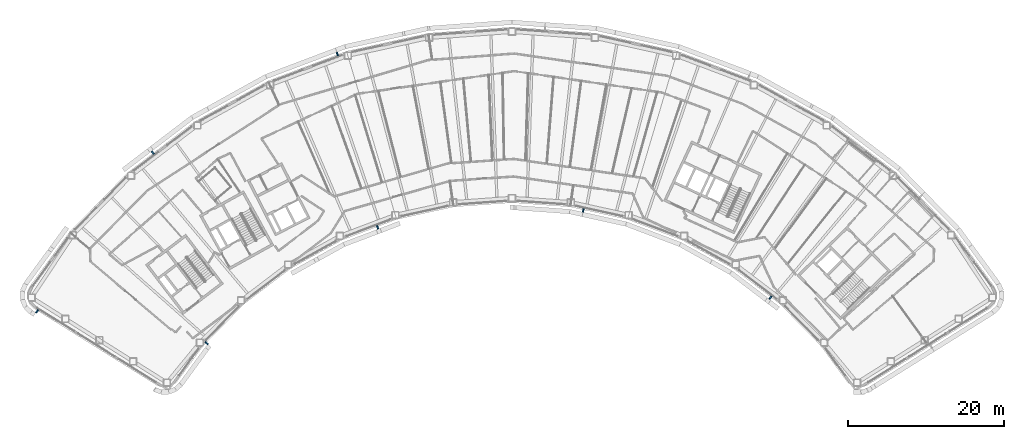
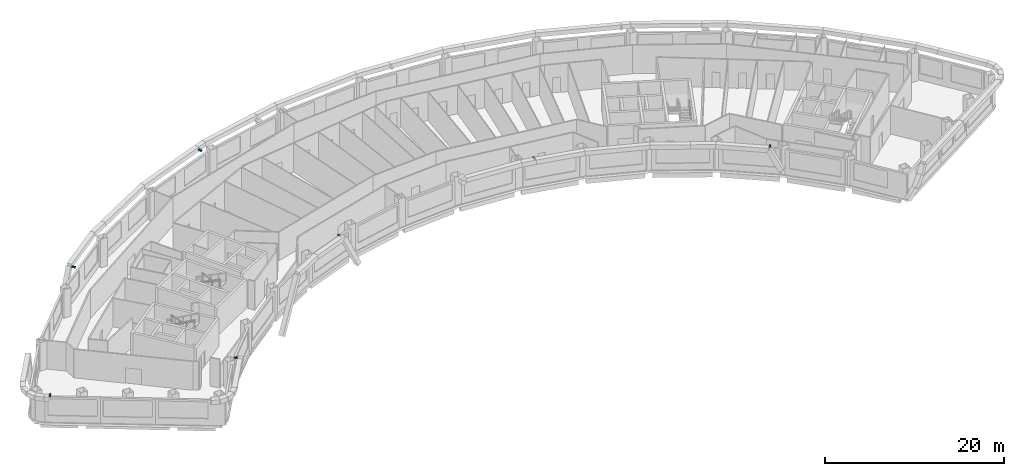
# One storey, part 13 of 17: 7 discrete accessories.
"""IFC4 building model written with IfcOpenShell, lengths in metres."""

from ifc_helpers import new_model, si_unit, direction, frame, origin, origin_2d, place, context, subcontext, project, spatial, rectangle, extrude, material, type_object, element, save


model = new_model("IFC4")

# Units and contexts
model_context = context("Model", 3, precision=1e-05, world=origin(), true_north=direction((0.0, 1.0)))
body_context = subcontext(model_context, "Body", "Model", "MODEL_VIEW")
ifc_project = project(units=[si_unit("LENGTHUNIT", "METRE"), si_unit("AREAUNIT", "SQUARE_METRE"), si_unit("VOLUMEUNIT", "CUBIC_METRE"), si_unit("PLANEANGLEUNIT", "RADIAN"), si_unit("MASSUNIT", "GRAM", prefix="KILO")], contexts=[model_context])

# Site, building, storey
site_placement = place(None, origin())
site = spatial("IfcSite", under=ifc_project, at=site_placement, CompositionType="ELEMENT")
building_placement = place(site_placement, origin())
building = spatial("IfcBuilding", under=site, at=building_placement, Name="Tuul Gate Civic Tower", CompositionType="ELEMENT")
storey_placement = place(building_placement, frame((0.0, 0.0, 222.10009765625)))
storey = spatial("IfcBuildingStorey", under=building, at=storey_placement, Name="Level 50", CompositionType="ELEMENT", Elevation=222.10009765625)

# Discrete accessories
ifc_material = material(Name="Stainless steel", Category="steel")
discrete_accessory_type = type_object("IfcDiscreteAccessoryType", Name="Screen bracket", PredefinedType="BRACKET", material=ifc_material)
discrete_accessory_1_placement = place(storey_placement, frame((-16.48876953125, 15.706298828125, 3.75), z_axis=(0.0, 0.0, 1.0), x_axis=(-0.301032033721, 0.953614028144, 0.0)))
element("IfcDiscreteAccessory", 1, at=discrete_accessory_1_placement, inside=storey, type_object=discrete_accessory_type, Name="Screen bracket 12", PredefinedType="BRACKET", context=body_context, shape_type="SweptSolid", body=[
    extrude(rectangle(XDim=0.45068359375, YDim=0.199951171875, at=origin_2d()), origin(), (0.0, 0.0, 1.0), 0.199951171875),
])
discrete_accessory_2_placement = place(storey_placement, frame((-40.17529296875, 3.04150390625, 3.75), z_axis=(0.0, 0.0, 1.0), x_axis=(-0.619914622165, 0.78466926869, 0.0)))
element("IfcDiscreteAccessory", 2, at=discrete_accessory_2_placement, inside=storey, type_object=discrete_accessory_type, Name="Screen bracket 15", PredefinedType="BRACKET", context=body_context, shape_type="SweptSolid", body=[
    extrude(rectangle(XDim=0.4501953125, YDim=0.199951171875, at=origin_2d()), origin(), (0.0, 0.0, 1.0), 0.199951171875),
])
discrete_accessory_3_placement = place(storey_placement, frame((-55.02294921875, -17.32763671875, 3.75), z_axis=(0.0, 0.0, 1.0), x_axis=(-0.609612645773, -0.792699452575, 0.0)))
element("IfcDiscreteAccessory", 3, at=discrete_accessory_3_placement, inside=storey, type_object=discrete_accessory_type, Name="Screen bracket 18", PredefinedType="BRACKET", context=body_context, shape_type="SweptSolid", body=[
    extrude(rectangle(XDim=0.4521484375, YDim=0.199951171875, at=origin_2d()), origin(), (0.0, 0.0, 1.0), 0.199951171875),
])
discrete_accessory_4_placement = place(storey_placement, frame((-33.263916015625, -21.4287109375, 3.75), z_axis=(0.0, 0.0, 1.0), x_axis=(0.756352625905, -0.654164127178, 0.0)))
element("IfcDiscreteAccessory", 4, at=discrete_accessory_4_placement, inside=storey, type_object=discrete_accessory_type, Name="Screen bracket 21", PredefinedType="BRACKET", context=body_context, shape_type="SweptSolid", body=[
    extrude(rectangle(XDim=0.450927734375, YDim=0.199951171875, at=origin_2d()), origin(), (0.0, 0.0, 1.0), 0.199951171875),
])
for number, where, z_axis, x_axis, name in (
    (5, (-11.31494140625, -6.55224609375, 3.75), (0.0, 0.0, 1.0), (0.333474504102, -0.942759118287, 0.0), "Screen bracket 24"),
    (6, (15.087890625, -4.377197265625, 3.75), (0.0, 0.0, 1.0), (-0.176670748029, -0.984270007056, 0.0), "Screen bracket 27"),
):
    element("IfcDiscreteAccessory", number, at=place(storey_placement, frame(where, z_axis=z_axis, x_axis=x_axis)), inside=storey, type_object=discrete_accessory_type, Name=name, PredefinedType="BRACKET", context=body_context, shape_type="SweptSolid", body=[
        extrude(rectangle(XDim=0.4501953125, YDim=0.199951171875, at=origin_2d()), origin(), (0.0, 0.0, 1.0), 0.199951171875),
    ])
discrete_accessory_5_placement = place(storey_placement, frame((39.11767578125, -15.576416015625, 3.75), z_axis=(0.0, 0.0, 1.0), x_axis=(-0.640746410602, -0.767752588599, 0.0)))
element("IfcDiscreteAccessory", 7, at=discrete_accessory_5_placement, inside=storey, type_object=discrete_accessory_type, Name="Screen bracket 30", PredefinedType="BRACKET", context=body_context, shape_type="SweptSolid", body=[
    extrude(rectangle(XDim=0.450439453125, YDim=0.199951171875, at=origin_2d()), origin(), (0.0, 0.0, 1.0), 0.199951171875),
])

save(model, "model.ifc")
